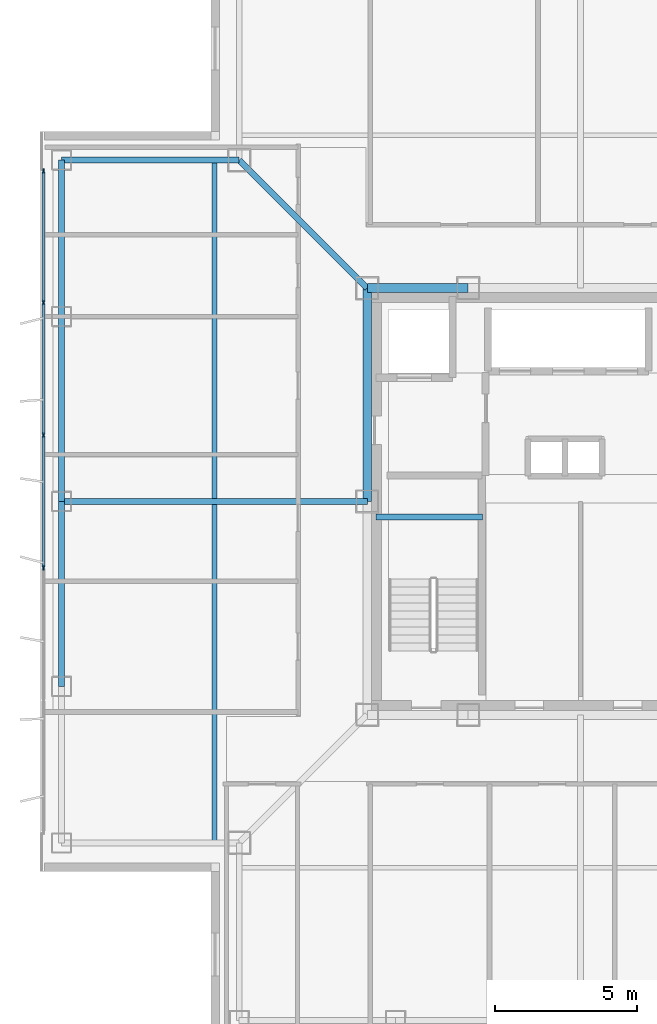
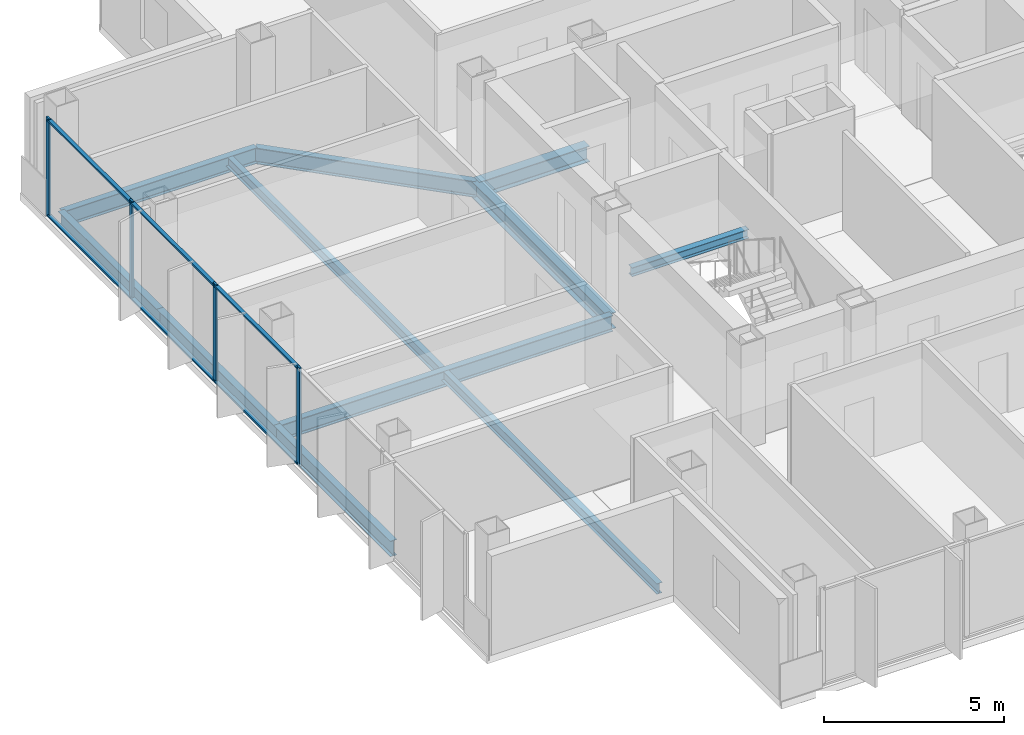
# One storey, part 4 of 15: 10 beams, 10 members, 1 element without a shape of its own.
"""IFC4 building model written with IfcOpenShell, lengths in metres."""

from ifc_helpers import new_model, si_unit, direction, frame, origin, origin_2d, place, context, subcontext, project, spatial, rectangle, i_section, extrude, material, layer, layer_set, material_profile, profile_set, type_object, element, aggregate, save


model = new_model("IFC4")

# Units and contexts
model_context = context("Model", 3, precision=1e-05, world=origin(), true_north=direction((0.0, 1.0)))
body_context = subcontext(model_context, "Body", "Model", "MODEL_VIEW")
ifc_project = project(units=[si_unit("LENGTHUNIT", "METRE"), si_unit("AREAUNIT", "SQUARE_METRE"), si_unit("VOLUMEUNIT", "CUBIC_METRE"), si_unit("PLANEANGLEUNIT", "RADIAN"), si_unit("MASSUNIT", "GRAM", prefix="KILO")], contexts=[model_context])

# Site, building, storey
site_placement = place(None, origin())
site = spatial("IfcSite", under=ifc_project, at=site_placement, CompositionType="ELEMENT")
building_placement = place(site_placement, origin())
building = spatial("IfcBuilding", under=site, at=building_placement, Name="Trevonay Congress Spire", CompositionType="ELEMENT")
storey_placement = place(building_placement, frame((0.0, 0.0, 239.60009765625)))
storey = spatial("IfcBuildingStorey", under=building, at=storey_placement, Name="L62", CompositionType="ELEMENT", Elevation=239.60009765625)

# Beams
ifc_material_1 = material(Name="Steel ASTM A572 Grade 50", Category="steel")
ifc_material_profile_1 = material_profile(ifc_material_1, i_section(OverallWidth=0.2119140625, OverallDepth=0.5439453125, WebThickness=0.01318359375, FlangeThickness=0.021240234375, FilletRadius=0.014892578125, at=origin_2d()), Name="W530x123")
ifc_profile_set_1 = profile_set([ifc_material_profile_1], Name="Steel ASTM A572 Grade 50")
beam_type_1 = type_object("IfcBeamType", Name="BM-GIRD-W530X123", PredefinedType="BEAM", material=ifc_profile_set_1)
beam_1_placement = place(storey_placement, frame((-7.5, 7.5, -0.51220703125), z_axis=(-0.707106781187, 0.707106781187, 0.0), x_axis=(-0.707106781187, -0.707106781187, 0.0)))
element("IfcBeam", 1, at=beam_1_placement, inside=storey, type_object=beam_type_1, Name="L62 structural beam BM-L62-CDNW", PredefinedType="BEAM", context=body_context, shape_type="SweptSolid", body=[
    extrude(i_section(OverallWidth=0.2119140625, OverallDepth=0.5439453125, WebThickness=0.01318359375, FlangeThickness=0.021240234375, FilletRadius=0.014892578125, at=origin_2d()), origin(), (0.0, 0.0, 1.0), 6.364013671875),
])
beam_2_placement = place(storey_placement, frame((-7.5, 0.0, -0.51220703125), z_axis=(-1.0, 0.0, 0.0), x_axis=(0.0, -1.0, 0.0)))
element("IfcBeam", 2, at=beam_2_placement, inside=storey, type_object=beam_type_1, Name="L62 structural beam BM-L62-GC-W", PredefinedType="BEAM", context=body_context, shape_type="SweptSolid", body=[
    extrude(i_section(OverallWidth=0.2119140625, OverallDepth=0.5439453125, WebThickness=0.01318359375, FlangeThickness=0.021240234375, FilletRadius=0.014892578125, at=origin_2d()), origin(), (0.0, 0.0, 1.0), 10.75),
])
ifc_material_profile_2 = material_profile(ifc_material_1, i_section(OverallWidth=0.31201171875, OverallDepth=0.54296875, WebThickness=0.0126953125, FlangeThickness=0.020263671875, FilletRadius=0.014892578125, at=origin_2d()), Name="W530x150")
ifc_profile_set_2 = profile_set([ifc_material_profile_2], Name="Steel ASTM A572 Grade 50")
beam_type_2 = type_object("IfcBeamType", Name="BM-GIRD-W530X150", PredefinedType="BEAM", material=ifc_profile_set_2)
beam_3_placement = place(storey_placement, frame((-7.5, 7.5, -0.51171875), z_axis=(1.0, 0.0, 0.0), x_axis=(0.0, 1.0, 0.0)))
element("IfcBeam", 3, at=beam_3_placement, inside=storey, type_object=beam_type_2, Name="L62 structural beam BM-L62-CR-N1", PredefinedType="BEAM", context=body_context, shape_type="SweptSolid", body=[
    extrude(i_section(OverallWidth=0.31201171875, OverallDepth=0.54296875, WebThickness=0.0126953125, FlangeThickness=0.020263671875, FilletRadius=0.014892578125, at=origin_2d()), origin(), (0.0, 0.0, 1.0), 3.550048828125),
])
beam_4_placement = place(storey_placement, frame((-7.5, 0.0, -0.51171875), z_axis=(0.0, 1.0, 0.0), x_axis=(-1.0, 0.0, 0.0)))
element("IfcBeam", 4, at=beam_4_placement, inside=storey, type_object=beam_type_2, Name="L62 structural beam BM-L62-CR-W2", PredefinedType="BEAM", context=body_context, shape_type="SweptSolid", body=[
    extrude(i_section(OverallWidth=0.31201171875, OverallDepth=0.54296875, WebThickness=0.0126953125, FlangeThickness=0.020263671875, FilletRadius=0.014892578125, at=origin_2d()), origin(), (0.0, 0.0, 1.0), 7.5),
])
ifc_material_profile_3 = material_profile(ifc_material_1, i_section(OverallWidth=0.208984375, OverallDepth=0.532958984375, WebThickness=0.01025390625, FlangeThickness=0.015625, FilletRadius=0.014892578125, at=origin_2d()), Name="W530x92")
ifc_profile_set_3 = profile_set([ifc_material_profile_3], Name="Steel ASTM A572 Grade 50")
beam_type_3 = type_object("IfcBeamType", Name="BM-RING-W530X92", PredefinedType="BEAM", material=ifc_profile_set_3)
for number, where, z_axis, x_axis, name in (
    (5, (-18.25, -6.5, -0.506591796875), (0.0, 1.0, 0.0), (-1.0, 0.0, 0.0), "L62 structural beam BM-L62-PW2"),
    (6, (-18.25, 0.0, -0.506591796875), (0.0, 1.0, 0.0), (-1.0, 0.0, 0.0), "L62 structural beam BM-L62-PW3"),
):
    element("IfcBeam", number, at=place(storey_placement, frame(where, z_axis=z_axis, x_axis=x_axis)), inside=storey, type_object=beam_type_3, Name=name, PredefinedType="BEAM", context=body_context, shape_type="SweptSolid", body=[
        extrude(i_section(OverallWidth=0.208984375, OverallDepth=0.532958984375, WebThickness=0.01025390625, FlangeThickness=0.015625, FilletRadius=0.014892578125, at=origin_2d()), origin(), (0.0, 0.0, 1.0), 6.5),
    ])
beam_5_placement = place(storey_placement, frame((-18.25, 6.5, -0.506591796875), z_axis=(0.0, 1.0, 0.0), x_axis=(-1.0, 0.0, 0.0)))
element("IfcBeam", 7, at=beam_5_placement, inside=storey, type_object=beam_type_3, Name="L62 structural beam BM-L62-PW4", PredefinedType="BEAM", context=body_context, shape_type="SweptSolid", body=[
    extrude(i_section(OverallWidth=0.208984375, OverallDepth=0.532958984375, WebThickness=0.01025390625, FlangeThickness=0.015625, FilletRadius=0.014892578125, at=origin_2d()), origin(), (0.0, 0.0, 1.0), 5.5),
])
beam_6_placement = place(storey_placement, frame((-18.25, 12.0, -0.506591796875), z_axis=(1.0, 0.0, 0.0), x_axis=(0.0, 1.0, 0.0)))
element("IfcBeam", 8, at=beam_6_placement, inside=storey, type_object=beam_type_3, Name="L62 structural beam BM-L62-N2NW", PredefinedType="BEAM", context=body_context, shape_type="SweptSolid", body=[
    extrude(i_section(OverallWidth=0.208984375, OverallDepth=0.532958984375, WebThickness=0.01025390625, FlangeThickness=0.015625, FilletRadius=0.014892578125, at=origin_2d()), origin(), (0.0, 0.0, 1.0), 6.25),
])

# Curtain wall, members
ifc_material_2 = material(Name="Pale Anodised Aluminium EN AW-6063-T6", Category="aluminium")
ifc_layer = layer(ifc_material_2, 0.1650390625, Name="Pale Anodised Aluminium EN AW-6063-T6")
ifc_layer_set = layer_set([ifc_layer], Name="Pale Anodised Aluminium EN AW-6063-T6")
curtain_wall_type = type_object("IfcCurtainWallType", Name="CW-SYS05-DIPLOM-PALE-METAL", PredefinedType="NOTDEFINED", material=ifc_layer_set)
curtain_wall_placement = place(storey_placement, origin())
curtain_wall = element("IfcCurtainWall", 9, at=curtain_wall_placement, inside=storey, type_object=curtain_wall_type, Name="L62 W unitised curtain wall", PredefinedType="NOTDEFINED")
ifc_material_profile_4 = material_profile(ifc_material_2, rectangle(XDim=0.06005859375, YDim=0.159912109375, at=origin_2d()), Name="CW-MULLION-160-ALUMINIUM")
ifc_profile_set_4 = profile_set([ifc_material_profile_4], Name="Pale Anodised Aluminium EN AW-6063-T6")
member_type_1 = type_object("IfcMemberType", Name="CW-MULLION-160-ALUMINIUM", PredefinedType="MULLION", material=ifc_profile_set_4)
member_1_placement = place(storey_placement, frame((-18.8798828125, -2.330078125, 0.0), z_axis=(0.0, 0.0, 1.0), x_axis=(-1.0, 0.0, 0.0)))
member_1 = element("IfcMember", 10, at=member_1_placement, type_object=member_type_1, Name="CW05 mullion 3", PredefinedType="MULLION", context=body_context, shape_type="SweptSolid", body=[
    extrude(rectangle(XDim=0.06005859375, YDim=0.159912109375, at=origin_2d()), origin(), (0.0, 0.0, 1.0), 3.35986328125),
])
member_2_placement = place(storey_placement, frame((-18.8798828125, 2.330078125, 0.0), z_axis=(0.0, 0.0, 1.0), x_axis=(-1.0, 0.0, 0.0)))
member_2 = element("IfcMember", 11, at=member_2_placement, type_object=member_type_1, Name="CW05 mullion 4", PredefinedType="MULLION", context=body_context, shape_type="SweptSolid", body=[
    extrude(rectangle(XDim=0.06005859375, YDim=0.159912109375, at=origin_2d()), origin(), (0.0, 0.0, 1.0), 3.35986328125),
])
member_3_placement = place(storey_placement, frame((-18.8798828125, 6.989990234375, 0.0), z_axis=(0.0, 0.0, 1.0), x_axis=(-1.0, 0.0, 0.0)))
member_3 = element("IfcMember", 12, at=member_3_placement, type_object=member_type_1, Name="CW05 mullion 5", PredefinedType="MULLION", context=body_context, shape_type="SweptSolid", body=[
    extrude(rectangle(XDim=0.06005859375, YDim=0.159912109375, at=origin_2d()), origin(), (0.0, 0.0, 1.0), 3.35986328125),
])
member_4_placement = place(storey_placement, frame((-18.8798828125, 11.6201171875, 0.0), z_axis=(0.0, 0.0, 1.0), x_axis=(-1.0, 0.0, 0.0)))
member_4 = element("IfcMember", 13, at=member_4_placement, type_object=member_type_1, Name="CW05 mullion 6", PredefinedType="MULLION", context=body_context, shape_type="SweptSolid", body=[
    extrude(rectangle(XDim=0.06005859375, YDim=0.159912109375, at=origin_2d()), origin(), (0.0, 0.0, 1.0), 3.35986328125),
])
ifc_material_profile_5 = material_profile(ifc_material_2, rectangle(XDim=0.1201171875, YDim=0.06005859375, at=origin_2d()), Name="CW-TRANSOM-120-ALUMINIUM")
ifc_profile_set_5 = profile_set([ifc_material_profile_5], Name="Pale Anodised Aluminium EN AW-6063-T6")
member_type_2 = type_object("IfcMemberType", Name="CW-TRANSOM-120-ALUMINIUM", PredefinedType="USERDEFINED", material=ifc_profile_set_5)
member_5_placement = place(storey_placement, frame((-18.8798828125, -2.300048828125, 0.059814453125), z_axis=(0.0, 1.0, 0.0), x_axis=(-1.0, 0.0, 0.0)))
member_5 = element("IfcMember", 14, at=member_5_placement, type_object=member_type_2, Name="CW05 transom 3.1", ObjectType="TRANSOM", PredefinedType="USERDEFINED", context=body_context, shape_type="SweptSolid", body=[
    extrude(rectangle(XDim=0.1201171875, YDim=0.06005859375, at=origin_2d()), origin(), (0.0, 0.0, 1.0), 4.60009765625),
])
member_6_placement = place(storey_placement, frame((-18.8798828125, -2.300048828125, 3.2998046875), z_axis=(0.0, 1.0, 0.0), x_axis=(-1.0, 0.0, 0.0)))
member_6 = element("IfcMember", 15, at=member_6_placement, type_object=member_type_2, Name="CW05 transom 3.2", ObjectType="TRANSOM", PredefinedType="USERDEFINED", context=body_context, shape_type="SweptSolid", body=[
    extrude(rectangle(XDim=0.1201171875, YDim=0.06005859375, at=origin_2d()), origin(), (0.0, 0.0, 1.0), 4.60009765625),
])
member_7_placement = place(storey_placement, frame((-18.8798828125, 2.360107421875, 0.059814453125), z_axis=(0.0, 1.0, 0.0), x_axis=(-1.0, 0.0, 0.0)))
member_7 = element("IfcMember", 16, at=member_7_placement, type_object=member_type_2, Name="CW05 transom 4.1", ObjectType="TRANSOM", PredefinedType="USERDEFINED", context=body_context, shape_type="SweptSolid", body=[
    extrude(rectangle(XDim=0.1201171875, YDim=0.06005859375, at=origin_2d()), origin(), (0.0, 0.0, 1.0), 4.599853515625),
])
member_8_placement = place(storey_placement, frame((-18.8798828125, 2.360107421875, 3.2998046875), z_axis=(0.0, 1.0, 0.0), x_axis=(-1.0, 0.0, 0.0)))
member_8 = element("IfcMember", 17, at=member_8_placement, type_object=member_type_2, Name="CW05 transom 4.2", ObjectType="TRANSOM", PredefinedType="USERDEFINED", context=body_context, shape_type="SweptSolid", body=[
    extrude(rectangle(XDim=0.1201171875, YDim=0.06005859375, at=origin_2d()), origin(), (0.0, 0.0, 1.0), 4.599853515625),
])
member_9_placement = place(storey_placement, frame((-18.8798828125, 7.02001953125, 0.059814453125), z_axis=(0.0, 1.0, 0.0), x_axis=(-1.0, 0.0, 0.0)))
member_9 = element("IfcMember", 18, at=member_9_placement, type_object=member_type_2, Name="CW05 transom 5.1", ObjectType="TRANSOM", PredefinedType="USERDEFINED", context=body_context, shape_type="SweptSolid", body=[
    extrude(rectangle(XDim=0.1201171875, YDim=0.06005859375, at=origin_2d()), origin(), (0.0, 0.0, 1.0), 4.570068359375),
])
member_10_placement = place(storey_placement, frame((-18.8798828125, 7.02001953125, 3.2998046875), z_axis=(0.0, 1.0, 0.0), x_axis=(-1.0, 0.0, 0.0)))
member_10 = element("IfcMember", 19, at=member_10_placement, type_object=member_type_2, Name="CW05 transom 5.2", ObjectType="TRANSOM", PredefinedType="USERDEFINED", context=body_context, shape_type="SweptSolid", body=[
    extrude(rectangle(XDim=0.1201171875, YDim=0.06005859375, at=origin_2d()), origin(), (0.0, 0.0, 1.0), 4.570068359375),
])
aggregate(curtain_wall, [member_1, member_2, member_3, member_4, member_5, member_6, member_7, member_8, member_9, member_10])

# Beams
ifc_material_profile_6 = material_profile(ifc_material_1, i_section(OverallWidth=0.172119140625, OverallDepth=0.35791015625, WebThickness=0.0078125, FlangeThickness=0.01318359375, FilletRadius=0.011962890625, at=origin_2d()), Name="W360x57.8")
ifc_profile_set_6 = profile_set([ifc_material_profile_6], Name="Steel ASTM A572 Grade 50")
beam_type_4 = type_object("IfcBeamType", Name="JS-COMP-W360X57", PredefinedType="JOIST", material=ifc_profile_set_6)
beam_7_placement = place(storey_placement, frame((-12.875, -12.0, -0.419189453125), z_axis=(0.0, 1.0, 0.0), x_axis=(-1.0, 0.0, 0.0)))
element("IfcBeam", 20, at=beam_7_placement, inside=storey, type_object=beam_type_4, Name="L62 structural beam JS-L62-RING-W", PredefinedType="JOIST", context=body_context, shape_type="SweptSolid", body=[
    extrude(i_section(OverallWidth=0.172119140625, OverallDepth=0.35791015625, WebThickness=0.0078125, FlangeThickness=0.01318359375, FilletRadius=0.011962890625, at=origin_2d()), origin(), (0.0, 0.0, 1.0), 24.0),
])
ifc_material_profile_7 = material_profile(ifc_material_1, i_section(OverallWidth=0.2041015625, OverallDepth=0.305908203125, WebThickness=0.008544921875, FlangeThickness=0.0146484375, FilletRadius=0.010986328125, at=origin_2d()), Name="W310x67")
ifc_profile_set_7 = profile_set([ifc_material_profile_7], Name="Steel ASTM A572 Grade 50")
beam_type_5 = type_object("IfcBeamType", Name="LN-CORE-W310X67", PredefinedType="LINTEL", material=ifc_profile_set_7)
beam_8_placement = place(storey_placement, frame((-7.199951171875, -0.550048828125, 1.447021484375), z_axis=(1.0, 0.0, 0.0), x_axis=(0.0, 1.0, 0.0)))
element("IfcBeam", 21, at=beam_8_placement, inside=storey, type_object=beam_type_5, Name="L62 structural beam BM-L62-HL-ST1", PredefinedType="LINTEL", context=body_context, shape_type="SweptSolid", body=[
    extrude(i_section(OverallWidth=0.2041015625, OverallDepth=0.305908203125, WebThickness=0.008544921875, FlangeThickness=0.0146484375, FilletRadius=0.010986328125, at=origin_2d()), origin(), (0.0, 0.0, 1.0), 3.75),
])

save(model, "model.ifc")
